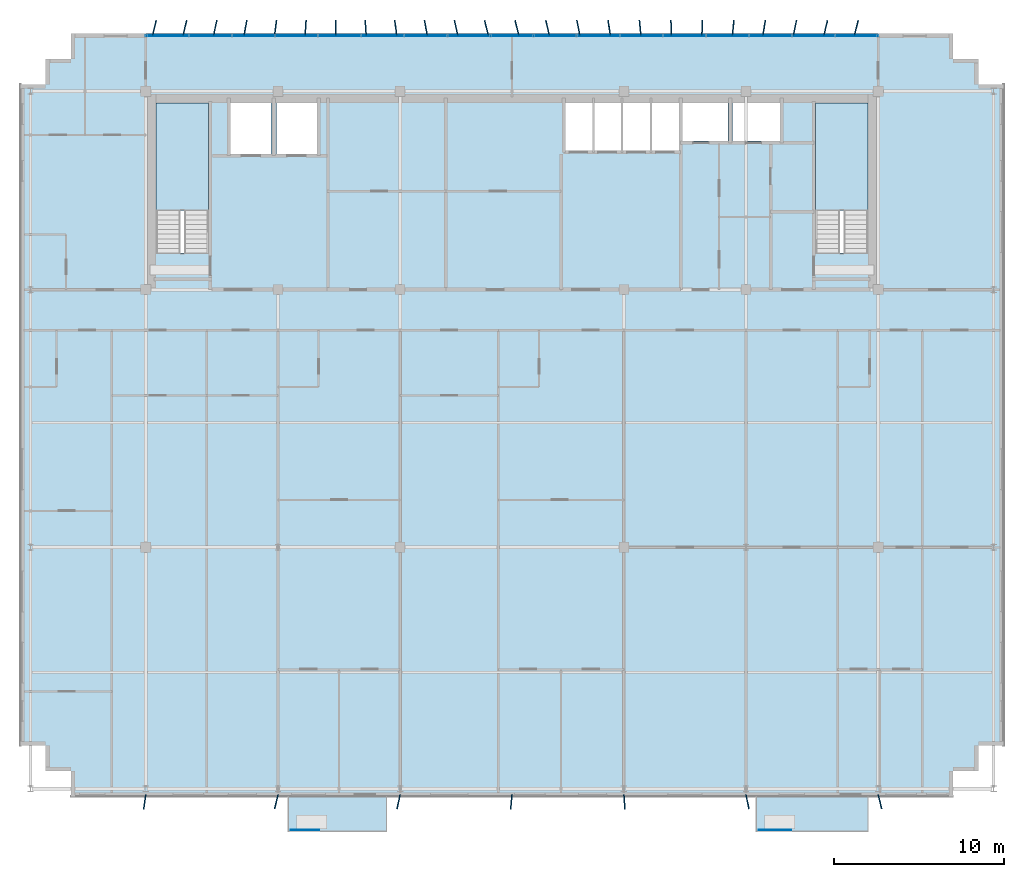
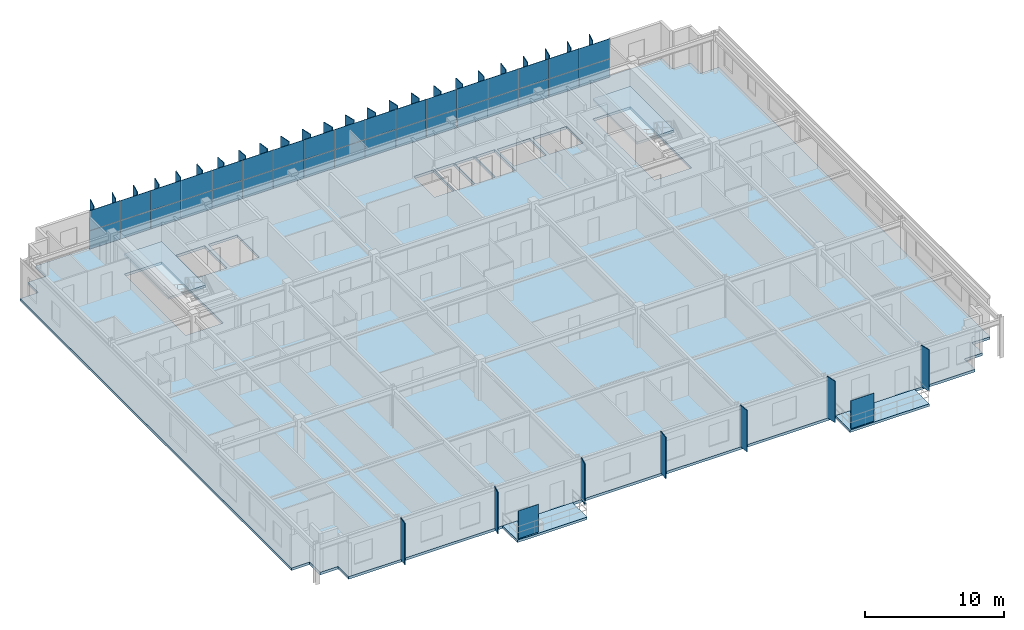
# One storey, part 15 of 23: 67 plates, 5 slabs, 3 elements without a shape of their own.
"""IFC4 building model written with IfcOpenShell, lengths in metres."""

from ifc_helpers import new_model, si_unit, direction, frame, origin, origin_2d, place, context, subcontext, project, spatial, polyline, rectangle, outline, extrude, source, transform, mapped, material, layer, layer_set, type_object, element, aggregate, save


model = new_model("IFC4")

# Units and contexts
model_context = context("Model", 3, precision=1e-05, world=origin(), true_north=direction((0.0, 1.0)))
body_context = subcontext(model_context, "Body", "Model", "MODEL_VIEW")
ifc_project = project(units=[si_unit("LENGTHUNIT", "METRE"), si_unit("AREAUNIT", "SQUARE_METRE"), si_unit("VOLUMEUNIT", "CUBIC_METRE"), si_unit("PLANEANGLEUNIT", "RADIAN"), si_unit("MASSUNIT", "GRAM", prefix="KILO")], contexts=[model_context])

# Site, building, storey
site_placement = place(None, origin())
site = spatial("IfcSite", under=ifc_project, at=site_placement, CompositionType="ELEMENT")
building_placement = place(site_placement, origin())
building = spatial("IfcBuilding", under=site, at=building_placement, Name="Trelvane Seafront Commons", CompositionType="ELEMENT")
storey_placement = place(building_placement, frame((0.0, 0.0, 266.699951171875)))
storey = spatial("IfcBuildingStorey", under=building, at=storey_placement, Name="L69", CompositionType="ELEMENT", Elevation=266.699951171875)

# Slabs
ifc_material_1 = material(Name="Concrete C40/50", Category="concrete")
ifc_layer_1 = layer(ifc_material_1, 0.219970703125, Name="ARCH-BALC-220")
ifc_layer_set_1 = layer_set([ifc_layer_1], Name="Concrete C40/50")
slab_type_1 = type_object("IfcSlabType", Name="ARCH-BALC-220", PredefinedType="FLOOR", material=ifc_layer_set_1)
slab_1_placement = place(storey_placement, frame((0.0, 0.0, -0.219970703125)))
element("IfcSlab", 1, at=slab_1_placement, inside=storey, type_object=slab_type_1, Name="L69 Cantilevered Tree Balcony Loggia 2", PredefinedType="FLOOR", context=body_context, shape_type="SweptSolid", body=[
    extrude(outline(polyline([(24.0, 1.39990234375), (29.800048828125, 1.39990234375), (29.800048828125, 3.5), (24.0, 3.5), (24.0, 1.39990234375)])), origin(), (0.0, 0.0, 1.0), 0.219970703125),
])
slab_2_placement = place(storey_placement, frame((0.0, 0.0, -0.219970703125)))
element("IfcSlab", 2, at=slab_2_placement, inside=storey, type_object=slab_type_1, Name="L69 Cantilevered Tree Balcony Loggia 3", PredefinedType="FLOOR", context=body_context, shape_type="SweptSolid", body=[
    extrude(outline(polyline([(51.60009765625, 1.39990234375), (58.199951171875, 1.39990234375), (58.199951171875, 3.5), (51.60009765625, 3.5), (51.60009765625, 1.39990234375)])), origin(), (0.0, 0.0, 1.0), 0.219970703125),
])

# Stair, slab
stair_type_1 = type_object("IfcStairType", Name="ARCH-STR-ST-1-R20-180", PredefinedType="HALF_TURN_STAIR", material=ifc_material_1)
stair_1_placement = place(storey_placement, origin())
stair_1 = element("IfcStair", 3, at=stair_1_placement, inside=storey, type_object=stair_type_1, Name="L69 West Protected Firefighting Exit Stair ST-1", PredefinedType="HALF_TURN_STAIR")
ifc_layer_2 = layer(ifc_material_1, 0.199951171875, Name="ARCH-LND-200")
ifc_layer_set_2 = layer_set([ifc_layer_2], Name="Concrete C40/50")
slab_type_2 = type_object("IfcSlabType", Name="ARCH-LND-200", PredefinedType="LANDING", material=ifc_layer_set_2)
slab_3_placement = place(storey_placement, frame((0.0, 0.0, 1.60009765625)))
slab_3 = element("IfcSlab", 4, at=slab_3_placement, type_object=slab_type_2, Name="ST-1 landing 1", PredefinedType="LANDING", context=body_context, shape_type="SweptSolid", body=[
    extrude(outline(polyline([(19.300048828125, 38.070068359375), (19.300048828125, 44.39990234375), (16.199951171875, 44.39990234375), (16.199951171875, 38.070068359375), (19.300048828125, 38.070068359375)])), origin(), (0.0, 0.0, 1.0), 0.199951171875),
])
aggregate(stair_1, [slab_3])

stair_type_2 = type_object("IfcStairType", Name="ARCH-STR-ST-2-R20-180", PredefinedType="HALF_TURN_STAIR", material=ifc_material_1)
stair_2_placement = place(storey_placement, origin())
stair_2 = element("IfcStair", 5, at=stair_2_placement, inside=storey, type_object=stair_type_2, Name="L69 East Protected Firefighting Exit Stair ST-2", PredefinedType="HALF_TURN_STAIR")
slab_4_placement = place(storey_placement, frame((0.0, 0.0, 1.60009765625)))
slab_4 = element("IfcSlab", 6, at=slab_4_placement, type_object=slab_type_2, Name="ST-2 landing 1", PredefinedType="LANDING", context=body_context, shape_type="SweptSolid", body=[
    extrude(outline(polyline([(58.199951171875, 38.070068359375), (58.199951171875, 44.39990234375), (55.10009765625, 44.39990234375), (55.10009765625, 38.070068359375), (58.199951171875, 38.070068359375)])), origin(), (0.0, 0.0, 1.0), 0.199951171875),
])
aggregate(stair_2, [slab_4])

# Slab
ifc_material_2 = material(Name="Concrete C50/60", Category="concrete")
ifc_layer_3 = layer(ifc_material_2, 0.22998046875, Name="STR-SLB-Z5-230")
ifc_layer_set_3 = layer_set([ifc_layer_3], Name="Concrete C50/60")
slab_type_3 = type_object("IfcSlabType", Name="STR-SLB-Z5-230", PredefinedType="FLOOR", material=ifc_layer_set_3)
slab_5_placement = place(storey_placement, frame((0.0, 0.0, -0.22998046875)))
element("IfcSlab", 7, at=slab_5_placement, inside=storey, type_object=slab_type_3, Name="L69 Structural Floor Slab", PredefinedType="FLOOR", context=body_context, shape_type="SweptSolid", body=[
    extrude(outline(polyline([(11.199951171875, 3.5), (63.199951171875, 3.5), (63.199951171875, 5.0), (64.699951171875, 5.0), (64.699951171875, 6.5), (66.199951171875, 6.5), (66.199951171875, 45.5), (64.699951171875, 45.5), (64.699951171875, 47.0), (63.199951171875, 47.0), (63.199951171875, 48.5), (11.199951171875, 48.5), (11.199951171875, 47.0), (9.699951171875, 47.0), (9.699951171875, 45.5), (8.199951171875, 45.5), (8.199951171875, 6.5), (9.699951171875, 6.5), (9.699951171875, 5.0), (11.199951171875, 5.0), (11.199951171875, 3.5)]), holes=[polyline([(19.300048828125, 35.550048828125), (16.199951171875, 35.550048828125), (16.199951171875, 44.39990234375), (19.300048828125, 44.39990234375), (19.300048828125, 35.550048828125)]), polyline([(58.199951171875, 35.550048828125), (55.10009765625, 35.550048828125), (55.10009765625, 44.39990234375), (58.199951171875, 44.39990234375), (58.199951171875, 35.550048828125)]), polyline([(23.0, 41.39990234375), (20.60009765625, 41.39990234375), (20.60009765625, 44.60009765625), (23.0, 44.60009765625), (23.0, 41.39990234375)]), polyline([(23.300048828125, 41.39990234375), (23.300048828125, 44.60009765625), (25.699951171875, 44.60009765625), (25.699951171875, 41.39990234375), (23.300048828125, 41.39990234375)]), polyline([(40.35009765625, 41.60009765625), (40.35009765625, 44.60009765625), (41.969970703125, 44.60009765625), (41.969970703125, 41.60009765625), (40.35009765625, 41.60009765625)]), polyline([(43.669921875, 41.60009765625), (42.050048828125, 41.60009765625), (42.050048828125, 44.60009765625), (43.669921875, 44.60009765625), (43.669921875, 41.60009765625)]), polyline([(45.3701171875, 41.60009765625), (43.75, 41.60009765625), (43.75, 44.60009765625), (45.3701171875, 44.60009765625), (45.3701171875, 41.60009765625)]), polyline([(47.070068359375, 41.60009765625), (45.449951171875, 41.60009765625), (45.449951171875, 44.60009765625), (47.070068359375, 44.60009765625), (47.070068359375, 41.60009765625)]), polyline([(47.25, 42.14990234375), (47.25, 44.550048828125), (49.949951171875, 44.550048828125), (49.949951171875, 42.14990234375), (47.25, 42.14990234375)]), polyline([(50.199951171875, 42.14990234375), (50.199951171875, 44.550048828125), (53.0, 44.550048828125), (53.0, 42.14990234375), (50.199951171875, 42.14990234375)])]), origin(), (0.0, 0.0, 1.0), 0.22998046875),
])

# Plates
ifc_material_3 = material(Name="Perforated anodised aluminium screen", Category="aluminium")
ifc_layer_4 = layer(ifc_material_3, 0.01611328125, Name="ARCH-PLATE-SCREEN")
ifc_layer_set_4 = layer_set([ifc_layer_4], Name="Perforated anodised aluminium screen")
plate_type_1 = type_object("IfcPlateType", Name="ARCH-PLATE-SCREEN", PredefinedType="USERDEFINED", material=ifc_layer_set_4)
shared_shape_1 = source(origin(), body_context, "Body", "SweptSolid", [
    extrude(rectangle(XDim=1.9140625, YDim=0.01611328125, at=origin_2d()), origin(), (0.0, 0.0, 1.0), 2.449951171875),
])
plate_1_placement = place(storey_placement, frame((52.70703125, 1.52001953125, 0.0), z_axis=(0.0, 0.0, 1.0), x_axis=(1.0, 0.0, 0.0)))
element("IfcPlate", 8, at=plate_1_placement, inside=storey, type_object=plate_type_1, Name="SCR-L69-00240", ObjectType="SCREEN", PredefinedType="USERDEFINED", context=body_context, shape_type="MappedRepresentation", body=[
    mapped(shared_shape_1, transform((0.0, 0.0, 0.0), x_axis=(1.0, 0.0, 0.0), y_axis=(0.0, 1.0, 0.0), z_axis=(0.0, 0.0, 1.0), scale=1.0)),
])
shared_shape_2 = source(origin(), body_context, "Body", "SweptSolid", [
    extrude(rectangle(XDim=1.681884765625, YDim=0.01611328125, at=origin_2d()), origin(), (0.0, 0.0, 1.0), 2.449951171875),
])
plate_2_placement = place(storey_placement, frame((24.990966796875, 1.52001953125, 0.0), z_axis=(0.0, 0.0, 1.0), x_axis=(1.0, 0.0, 0.0)))
element("IfcPlate", 9, at=plate_2_placement, inside=storey, type_object=plate_type_1, Name="SCR-L69-00239", ObjectType="SCREEN", PredefinedType="USERDEFINED", context=body_context, shape_type="MappedRepresentation", body=[
    mapped(shared_shape_2, transform((0.0, 0.0, 0.0), x_axis=(1.0, 0.0, 0.0), y_axis=(0.0, 1.0, 0.0), z_axis=(0.0, 0.0, 1.0), scale=1.0)),
])
ifc_material_4 = material(Name="Anodised pale-silver aluminium", Category="aluminium")
ifc_layer_5 = layer(ifc_material_4, 0.06005859375, Name="ARCH-PLATE-FIN900")
ifc_layer_set_5 = layer_set([ifc_layer_5], Name="Anodised pale-silver aluminium")
plate_type_2 = type_object("IfcPlateType", Name="ARCH-PLATE-FIN900", PredefinedType="USERDEFINED", material=ifc_layer_set_5)
shared_shape_3 = source(origin(), body_context, "Body", "SweptSolid", [
    extrude(rectangle(XDim=0.89990234375, YDim=0.06005859375, at=origin_2d()), origin(), (0.0, 0.0, 1.0), 3.639892578125),
])
for number, where, z_axis, x_axis, name in (
    (10, (17.906494140625, 48.837158203125, -0.02001953125), (0.0, 0.0, 1.0), (0.236439642978, 0.971646178003, 0.0), "FIN-L69-01912"),
    (11, (19.6962890625, 48.839599609375, -0.02001953125), (0.0, 0.0, 1.0), (0.214012511804, 0.976830919244, 0.0), "FIN-L69-01913"),
    (12, (21.47900390625, 48.843017578125, -0.02001953125), (0.0, 0.0, 1.0), (0.175775662114, 0.984430249743, 0.0), "FIN-L69-01914"),
    (13, (23.255859375, 48.846435546875, -0.02001953125), (0.0, 0.0, 1.0), (0.124335787916, 0.992240198663, 0.0), "FIN-L69-01915"),
    (14, (25.0283203125, 48.84912109375, -0.02001953125), (0.0, 0.0, 1.0), (0.063222501174, 0.997999456586, 0.0), "FIN-L69-01916"),
    (15, (26.798828125, 48.85009765625, -0.02001953125), (0.0, 0.0, 1.0), (-0.002666859936, 0.999996443923, 0.0), "FIN-L69-01917"),
    (16, (28.569091796875, 48.84912109375, -0.02001953125), (0.0, 0.0, 1.0), (-0.068443641122, 0.997654984446, 0.0), "FIN-L69-01918"),
    (17, (30.342041015625, 48.84619140625, -0.02001953125), (0.0, 0.0, 1.0), (-0.128887328039, 0.991659244232, 0.0), "FIN-L69-01919"),
    (18, (32.119384765625, 48.8427734375, -0.02001953125), (0.0, 0.0, 1.0), (-0.179442694027, 0.983768427812, 0.0), "FIN-L69-01920"),
    (19, (33.902587890625, 48.83935546875, -0.02001953125), (0.0, 0.0, 1.0), (-0.216436206021, 0.976296762631, 0.0), "FIN-L69-01921"),
    (20, (35.693115234375, 48.837158203125, -0.02001953125), (0.0, 0.0, 1.0), (-0.237434978264, 0.971403433748, 0.0), "FIN-L69-01922"),
    (21, (37.491455078125, 48.836669921875, -0.02001953125), (0.0, 0.0, 1.0), (-0.241227504659, 0.970468593514, 0.0), "FIN-L69-01923"),
    (22, (39.297607421875, 48.838134765625, -0.02001953125), (0.0, 0.0, 1.0), (-0.227341413427, 0.973815116817, 0.0), "FIN-L69-01924"),
    (23, (41.111572265625, 48.84130859375, -0.02001953125), (0.0, 0.0, 1.0), (-0.19677786044, 0.980448098392, 0.0), "FIN-L69-01925"),
    (24, (42.931884765625, 48.8447265625, -0.02001953125), (0.0, 0.0, 1.0), (-0.151447144267, 0.988465357255, 0.0), "FIN-L69-01926"),
    (25, (44.75732421875, 48.847900390625, -0.02001953125), (0.0, 0.0, 1.0), (-0.094662587815, 0.995509414555, 0.0), "FIN-L69-01927"),
    (26, (46.586181640625, 48.849853515625, -0.02001953125), (0.0, 0.0, 1.0), (-0.030554213843, 0.999533111016, 0.0), "FIN-L69-01928"),
    (27, (48.416259765625, 48.849609375, -0.02001953125), (0.0, 0.0, 1.0), (0.03600010719, 0.99935178605, 0.0), "FIN-L69-01929"),
    (28, (50.244873046875, 48.84765625, -0.02001953125), (0.0, 0.0, 1.0), (0.099668820243, 0.995020666253, 0.0), "FIN-L69-01930"),
    (29, (52.070068359375, 48.844482421875, -0.02001953125), (0.0, 0.0, 1.0), (0.155670756638, 0.987808997493, 0.0), "FIN-L69-01931"),
    (30, (53.889892578125, 48.8408203125, -0.02001953125), (0.0, 0.0, 1.0), (0.199790357818, 0.979838666783, 0.0), "FIN-L69-01932"),
    (31, (55.703125, 48.837890625, -0.02001953125), (0.0, 0.0, 1.0), (0.229101855445, 0.973402455222, 0.0), "FIN-L69-01933"),
):
    element("IfcPlate", number, at=place(storey_placement, frame(where, z_axis=z_axis, x_axis=x_axis)), inside=storey, type_object=plate_type_2, Name=name, ObjectType="FIN", PredefinedType="USERDEFINED", context=body_context, shape_type="MappedRepresentation", body=[
        mapped(shared_shape_3, transform((0.0, 0.0, 0.0), x_axis=(1.0, 0.0, 0.0), y_axis=(0.0, 1.0, 0.0), z_axis=(0.0, 0.0, 1.0), scale=1.0)),
    ])
shared_shape_4 = source(origin(), body_context, "Body", "SweptSolid", [
    extrude(rectangle(XDim=0.900146484375, YDim=0.06005859375, at=origin_2d()), origin(), (0.0, 0.0, 1.0), 3.639892578125),
])
for number, where, z_axis, x_axis, name in (
    (32, (16.108642578125, 48.836669921875, -0.02001953125), (0.0, 0.0, 1.0), (0.241542536366, 0.970390232394, 0.0), "FIN-L69-01911"),
    (33, (57.5087890625, 48.836669921875, -0.02001953125), (0.0, 0.0, 1.0), (0.241542536366, 0.970390232394, 0.0), "FIN-L69-01934"),
):
    element("IfcPlate", number, at=place(storey_placement, frame(where, z_axis=z_axis, x_axis=x_axis)), inside=storey, type_object=plate_type_2, Name=name, ObjectType="FIN", PredefinedType="USERDEFINED", context=body_context, shape_type="MappedRepresentation", body=[
        mapped(shared_shape_4, transform((0.0, 0.0, 0.0), x_axis=(1.0, 0.0, 0.0), y_axis=(0.0, 1.0, 0.0), z_axis=(0.0, 0.0, 1.0), scale=1.0)),
    ])
shared_shape_5 = source(origin(), body_context, "Body", "SweptSolid", [
    extrude(rectangle(XDim=0.85009765625, YDim=0.06005859375, at=origin_2d()), origin(), (0.0, 0.0, 1.0), 3.639892578125),
])
for number, where, z_axis, x_axis, name in (
    (34, (15.537841796875, 3.179443359375, -0.02001953125), (0.0, 0.0, 1.0), (-0.145998424337, -0.989284822531, 0.0), "FIN-S-L69-01935"),
    (35, (23.2998046875, 3.18701171875, -0.02001953125), (0.0, 0.0, 1.0), (-0.235774817433, -0.971807715273, 0.0), "FIN-S-L69-01936"),
    (36, (30.50830078125, 3.18505859375, -0.02001953125), (0.0, 0.0, 1.0), (-0.215872159407, -0.976421635766, 0.0), "FIN-S-L69-01937"),
    (37, (37.159912109375, 3.177001953125, -0.02001953125), (0.0, 0.0, 1.0), (-0.094704287532, -0.995505448465, 0.0), "FIN-S-L69-01938"),
    (38, (43.830810546875, 3.176025390625, -0.02001953125), (0.0, 0.0, 1.0), (0.072467070849, -0.997370805489, 0.0), "FIN-S-L69-01939"),
    (39, (51.0869140625, 3.18408203125, -0.02001953125), (0.0, 0.0, 1.0), (0.204343997691, -0.978899142204, 0.0), "FIN-S-L69-01940"),
    (40, (58.90185546875, 3.1875, -0.02001953125), (0.0, 0.0, 1.0), (0.239877323294, -0.97080320857, 0.0), "FIN-S-L69-01941"),
):
    element("IfcPlate", number, at=place(storey_placement, frame(where, z_axis=z_axis, x_axis=x_axis)), inside=storey, type_object=plate_type_2, Name=name, ObjectType="FIN", PredefinedType="USERDEFINED", context=body_context, shape_type="MappedRepresentation", body=[
        mapped(shared_shape_5, transform((0.0, 0.0, 0.0), x_axis=(1.0, 0.0, 0.0), y_axis=(0.0, 1.0, 0.0), z_axis=(0.0, 0.0, 1.0), scale=1.0)),
    ])

# Curtain wall, plates
curtain_wall_type = type_object("IfcCurtainWallType", Name="ARCH-CW5-UPTOWER", PredefinedType="NOTDEFINED", material=ifc_material_4)
curtain_wall_placement = place(storey_placement, origin())
curtain_wall = element("IfcCurtainWall", 41, at=curtain_wall_placement, inside=storey, type_object=curtain_wall_type, Name="CW-L69-0113", PredefinedType="NOTDEFINED")
ifc_material_5 = material(Name="Low-E coastal double glazing", Category="glass")
ifc_layer_6 = layer(ifc_material_5, 0.033935546875, Name="ARCH-CW-GLAZ-34")
ifc_layer_set_6 = layer_set([ifc_layer_6], Name="Low-E coastal double glazing")
plate_type_3 = type_object("IfcPlateType", Name="ARCH-CW-GLAZ-34", PredefinedType="CURTAIN_PANEL", material=ifc_layer_set_6)
shared_shape_6 = source(origin(), body_context, "Body", "SweptSolid", [
    extrude(rectangle(XDim=2.51708984375, YDim=0.033935546875, at=origin_2d()), origin(), (0.0, 0.0, 1.0), 1.60009765625),
])
plate_3_placement = place(storey_placement, frame((16.87060546875, 48.3701171875, 0.0), z_axis=(0.0, 0.0, 1.0), x_axis=(1.0, 0.0, 0.0)))
plate_3 = element("IfcPlate", 42, at=plate_3_placement, type_object=plate_type_3, Name="CW-L69-0113-P00-1", PredefinedType="CURTAIN_PANEL", context=body_context, shape_type="MappedRepresentation", body=[
    mapped(shared_shape_6, transform((0.0, 0.0, 0.0), x_axis=(1.0, 0.0, 0.0), y_axis=(0.0, 1.0, 0.0), z_axis=(0.0, 0.0, 1.0), scale=1.0)),
])
plate_4_placement = place(storey_placement, frame((19.411865234375, 48.3701171875, 0.0), z_axis=(0.0, 0.0, 1.0), x_axis=(1.0, 0.0, 0.0)))
plate_4 = element("IfcPlate", 43, at=plate_4_placement, type_object=plate_type_3, Name="CW-L69-0113-P01-1", PredefinedType="CURTAIN_PANEL", context=body_context, shape_type="MappedRepresentation", body=[
    mapped(shared_shape_6, transform((0.0, 0.0, 0.0), x_axis=(1.0, 0.0, 0.0), y_axis=(0.0, 1.0, 0.0), z_axis=(0.0, 0.0, 1.0), scale=1.0)),
])
plate_5_placement = place(storey_placement, frame((21.952880859375, 48.3701171875, 0.0), z_axis=(0.0, 0.0, 1.0), x_axis=(1.0, 0.0, 0.0)))
plate_5 = element("IfcPlate", 44, at=plate_5_placement, type_object=plate_type_3, Name="CW-L69-0113-P02-1", PredefinedType="CURTAIN_PANEL", context=body_context, shape_type="MappedRepresentation", body=[
    mapped(shared_shape_6, transform((0.0, 0.0, 0.0), x_axis=(1.0, 0.0, 0.0), y_axis=(0.0, 1.0, 0.0), z_axis=(0.0, 0.0, 1.0), scale=1.0)),
])
plate_6_placement = place(storey_placement, frame((24.494140625, 48.3701171875, 0.0), z_axis=(0.0, 0.0, 1.0), x_axis=(1.0, 0.0, 0.0)))
plate_6 = element("IfcPlate", 45, at=plate_6_placement, type_object=plate_type_3, Name="CW-L69-0113-P03-1", PredefinedType="CURTAIN_PANEL", context=body_context, shape_type="MappedRepresentation", body=[
    mapped(shared_shape_6, transform((0.0, 0.0, 0.0), x_axis=(1.0, 0.0, 0.0), y_axis=(0.0, 1.0, 0.0), z_axis=(0.0, 0.0, 1.0), scale=1.0)),
])
plate_7_placement = place(storey_placement, frame((27.035400390625, 48.3701171875, 0.0), z_axis=(0.0, 0.0, 1.0), x_axis=(1.0, 0.0, 0.0)))
plate_7 = element("IfcPlate", 46, at=plate_7_placement, type_object=plate_type_3, Name="CW-L69-0113-P04-1", PredefinedType="CURTAIN_PANEL", context=body_context, shape_type="MappedRepresentation", body=[
    mapped(shared_shape_6, transform((0.0, 0.0, 0.0), x_axis=(1.0, 0.0, 0.0), y_axis=(0.0, 1.0, 0.0), z_axis=(0.0, 0.0, 1.0), scale=1.0)),
])
plate_8_placement = place(storey_placement, frame((29.576416015625, 48.3701171875, 0.0), z_axis=(0.0, 0.0, 1.0), x_axis=(1.0, 0.0, 0.0)))
plate_8 = element("IfcPlate", 47, at=plate_8_placement, type_object=plate_type_3, Name="CW-L69-0113-P05-1", PredefinedType="CURTAIN_PANEL", context=body_context, shape_type="MappedRepresentation", body=[
    mapped(shared_shape_6, transform((0.0, 0.0, 0.0), x_axis=(1.0, 0.0, 0.0), y_axis=(0.0, 1.0, 0.0), z_axis=(0.0, 0.0, 1.0), scale=1.0)),
])
plate_9_placement = place(storey_placement, frame((32.11767578125, 48.3701171875, 0.0), z_axis=(0.0, 0.0, 1.0), x_axis=(1.0, 0.0, 0.0)))
plate_9 = element("IfcPlate", 48, at=plate_9_placement, type_object=plate_type_3, Name="CW-L69-0113-P06-1", PredefinedType="CURTAIN_PANEL", context=body_context, shape_type="MappedRepresentation", body=[
    mapped(shared_shape_6, transform((0.0, 0.0, 0.0), x_axis=(1.0, 0.0, 0.0), y_axis=(0.0, 1.0, 0.0), z_axis=(0.0, 0.0, 1.0), scale=1.0)),
])
plate_10_placement = place(storey_placement, frame((34.65869140625, 48.3701171875, 0.0), z_axis=(0.0, 0.0, 1.0), x_axis=(1.0, 0.0, 0.0)))
plate_10 = element("IfcPlate", 49, at=plate_10_placement, type_object=plate_type_3, Name="CW-L69-0113-P07-1", PredefinedType="CURTAIN_PANEL", context=body_context, shape_type="MappedRepresentation", body=[
    mapped(shared_shape_6, transform((0.0, 0.0, 0.0), x_axis=(1.0, 0.0, 0.0), y_axis=(0.0, 1.0, 0.0), z_axis=(0.0, 0.0, 1.0), scale=1.0)),
])
plate_11_placement = place(storey_placement, frame((37.199951171875, 48.3701171875, 0.0), z_axis=(0.0, 0.0, 1.0), x_axis=(1.0, 0.0, 0.0)))
plate_11 = element("IfcPlate", 50, at=plate_11_placement, type_object=plate_type_3, Name="CW-L69-0113-P08-1", PredefinedType="CURTAIN_PANEL", context=body_context, shape_type="MappedRepresentation", body=[
    mapped(shared_shape_6, transform((0.0, 0.0, 0.0), x_axis=(1.0, 0.0, 0.0), y_axis=(0.0, 1.0, 0.0), z_axis=(0.0, 0.0, 1.0), scale=1.0)),
])
plate_12_placement = place(storey_placement, frame((39.7412109375, 48.3701171875, 0.0), z_axis=(0.0, 0.0, 1.0), x_axis=(1.0, 0.0, 0.0)))
plate_12 = element("IfcPlate", 51, at=plate_12_placement, type_object=plate_type_3, Name="CW-L69-0113-P09-1", PredefinedType="CURTAIN_PANEL", context=body_context, shape_type="MappedRepresentation", body=[
    mapped(shared_shape_6, transform((0.0, 0.0, 0.0), x_axis=(1.0, 0.0, 0.0), y_axis=(0.0, 1.0, 0.0), z_axis=(0.0, 0.0, 1.0), scale=1.0)),
])
plate_13_placement = place(storey_placement, frame((42.282470703125, 48.3701171875, 0.0), z_axis=(0.0, 0.0, 1.0), x_axis=(1.0, 0.0, 0.0)))
plate_13 = element("IfcPlate", 52, at=plate_13_placement, type_object=plate_type_3, Name="CW-L69-0113-P10-1", PredefinedType="CURTAIN_PANEL", context=body_context, shape_type="MappedRepresentation", body=[
    mapped(shared_shape_6, transform((0.0, 0.0, 0.0), x_axis=(1.0, 0.0, 0.0), y_axis=(0.0, 1.0, 0.0), z_axis=(0.0, 0.0, 1.0), scale=1.0)),
])
plate_14_placement = place(storey_placement, frame((44.823486328125, 48.3701171875, 0.0), z_axis=(0.0, 0.0, 1.0), x_axis=(1.0, 0.0, 0.0)))
plate_14 = element("IfcPlate", 53, at=plate_14_placement, type_object=plate_type_3, Name="CW-L69-0113-P11-1", PredefinedType="CURTAIN_PANEL", context=body_context, shape_type="MappedRepresentation", body=[
    mapped(shared_shape_6, transform((0.0, 0.0, 0.0), x_axis=(1.0, 0.0, 0.0), y_axis=(0.0, 1.0, 0.0), z_axis=(0.0, 0.0, 1.0), scale=1.0)),
])
plate_15_placement = place(storey_placement, frame((47.36474609375, 48.3701171875, 0.0), z_axis=(0.0, 0.0, 1.0), x_axis=(1.0, 0.0, 0.0)))
plate_15 = element("IfcPlate", 54, at=plate_15_placement, type_object=plate_type_3, Name="CW-L69-0113-P12-1", PredefinedType="CURTAIN_PANEL", context=body_context, shape_type="MappedRepresentation", body=[
    mapped(shared_shape_6, transform((0.0, 0.0, 0.0), x_axis=(1.0, 0.0, 0.0), y_axis=(0.0, 1.0, 0.0), z_axis=(0.0, 0.0, 1.0), scale=1.0)),
])
plate_16_placement = place(storey_placement, frame((49.906005859375, 48.3701171875, 0.0), z_axis=(0.0, 0.0, 1.0), x_axis=(1.0, 0.0, 0.0)))
plate_16 = element("IfcPlate", 55, at=plate_16_placement, type_object=plate_type_3, Name="CW-L69-0113-P13-1", PredefinedType="CURTAIN_PANEL", context=body_context, shape_type="MappedRepresentation", body=[
    mapped(shared_shape_6, transform((0.0, 0.0, 0.0), x_axis=(1.0, 0.0, 0.0), y_axis=(0.0, 1.0, 0.0), z_axis=(0.0, 0.0, 1.0), scale=1.0)),
])
plate_17_placement = place(storey_placement, frame((52.447021484375, 48.3701171875, 0.0), z_axis=(0.0, 0.0, 1.0), x_axis=(1.0, 0.0, 0.0)))
plate_17 = element("IfcPlate", 56, at=plate_17_placement, type_object=plate_type_3, Name="CW-L69-0113-P14-1", PredefinedType="CURTAIN_PANEL", context=body_context, shape_type="MappedRepresentation", body=[
    mapped(shared_shape_6, transform((0.0, 0.0, 0.0), x_axis=(1.0, 0.0, 0.0), y_axis=(0.0, 1.0, 0.0), z_axis=(0.0, 0.0, 1.0), scale=1.0)),
])
plate_18_placement = place(storey_placement, frame((54.98828125, 48.3701171875, 0.0), z_axis=(0.0, 0.0, 1.0), x_axis=(1.0, 0.0, 0.0)))
plate_18 = element("IfcPlate", 57, at=plate_18_placement, type_object=plate_type_3, Name="CW-L69-0113-P15-1", PredefinedType="CURTAIN_PANEL", context=body_context, shape_type="MappedRepresentation", body=[
    mapped(shared_shape_6, transform((0.0, 0.0, 0.0), x_axis=(1.0, 0.0, 0.0), y_axis=(0.0, 1.0, 0.0), z_axis=(0.0, 0.0, 1.0), scale=1.0)),
])
plate_19_placement = place(storey_placement, frame((57.529296875, 48.3701171875, 0.0), z_axis=(0.0, 0.0, 1.0), x_axis=(1.0, 0.0, 0.0)))
plate_19 = element("IfcPlate", 58, at=plate_19_placement, type_object=plate_type_3, Name="CW-L69-0113-P16-1", PredefinedType="CURTAIN_PANEL", context=body_context, shape_type="MappedRepresentation", body=[
    mapped(shared_shape_6, transform((0.0, 0.0, 0.0), x_axis=(1.0, 0.0, 0.0), y_axis=(0.0, 1.0, 0.0), z_axis=(0.0, 0.0, 1.0), scale=1.0)),
])
shared_shape_7 = source(origin(), body_context, "Body", "SweptSolid", [
    extrude(rectangle(XDim=2.51708984375, YDim=0.033935546875, at=origin_2d()), origin(), (0.0, 0.0, 1.0), 1.73388671875),
])
plate_20_placement = place(storey_placement, frame((16.87060546875, 48.3701171875, 1.635986328125), z_axis=(0.0, 0.0, 1.0), x_axis=(1.0, 0.0, 0.0)))
plate_20 = element("IfcPlate", 59, at=plate_20_placement, type_object=plate_type_3, Name="CW-L69-0113-P00-2", PredefinedType="CURTAIN_PANEL", context=body_context, shape_type="MappedRepresentation", body=[
    mapped(shared_shape_7, transform((0.0, 0.0, 0.0), x_axis=(1.0, 0.0, 0.0), y_axis=(0.0, 1.0, 0.0), z_axis=(0.0, 0.0, 1.0), scale=1.0)),
])
plate_21_placement = place(storey_placement, frame((19.411865234375, 48.3701171875, 1.635986328125), z_axis=(0.0, 0.0, 1.0), x_axis=(1.0, 0.0, 0.0)))
plate_21 = element("IfcPlate", 60, at=plate_21_placement, type_object=plate_type_3, Name="CW-L69-0113-P01-2", PredefinedType="CURTAIN_PANEL", context=body_context, shape_type="MappedRepresentation", body=[
    mapped(shared_shape_7, transform((0.0, 0.0, 0.0), x_axis=(1.0, 0.0, 0.0), y_axis=(0.0, 1.0, 0.0), z_axis=(0.0, 0.0, 1.0), scale=1.0)),
])
plate_22_placement = place(storey_placement, frame((21.952880859375, 48.3701171875, 1.635986328125), z_axis=(0.0, 0.0, 1.0), x_axis=(1.0, 0.0, 0.0)))
plate_22 = element("IfcPlate", 61, at=plate_22_placement, type_object=plate_type_3, Name="CW-L69-0113-P02-2", PredefinedType="CURTAIN_PANEL", context=body_context, shape_type="MappedRepresentation", body=[
    mapped(shared_shape_7, transform((0.0, 0.0, 0.0), x_axis=(1.0, 0.0, 0.0), y_axis=(0.0, 1.0, 0.0), z_axis=(0.0, 0.0, 1.0), scale=1.0)),
])
plate_23_placement = place(storey_placement, frame((24.494140625, 48.3701171875, 1.635986328125), z_axis=(0.0, 0.0, 1.0), x_axis=(1.0, 0.0, 0.0)))
plate_23 = element("IfcPlate", 62, at=plate_23_placement, type_object=plate_type_3, Name="CW-L69-0113-P03-2", PredefinedType="CURTAIN_PANEL", context=body_context, shape_type="MappedRepresentation", body=[
    mapped(shared_shape_7, transform((0.0, 0.0, 0.0), x_axis=(1.0, 0.0, 0.0), y_axis=(0.0, 1.0, 0.0), z_axis=(0.0, 0.0, 1.0), scale=1.0)),
])
plate_24_placement = place(storey_placement, frame((27.035400390625, 48.3701171875, 1.635986328125), z_axis=(0.0, 0.0, 1.0), x_axis=(1.0, 0.0, 0.0)))
plate_24 = element("IfcPlate", 63, at=plate_24_placement, type_object=plate_type_3, Name="CW-L69-0113-P04-2", PredefinedType="CURTAIN_PANEL", context=body_context, shape_type="MappedRepresentation", body=[
    mapped(shared_shape_7, transform((0.0, 0.0, 0.0), x_axis=(1.0, 0.0, 0.0), y_axis=(0.0, 1.0, 0.0), z_axis=(0.0, 0.0, 1.0), scale=1.0)),
])
plate_25_placement = place(storey_placement, frame((29.576416015625, 48.3701171875, 1.635986328125), z_axis=(0.0, 0.0, 1.0), x_axis=(1.0, 0.0, 0.0)))
plate_25 = element("IfcPlate", 64, at=plate_25_placement, type_object=plate_type_3, Name="CW-L69-0113-P05-2", PredefinedType="CURTAIN_PANEL", context=body_context, shape_type="MappedRepresentation", body=[
    mapped(shared_shape_7, transform((0.0, 0.0, 0.0), x_axis=(1.0, 0.0, 0.0), y_axis=(0.0, 1.0, 0.0), z_axis=(0.0, 0.0, 1.0), scale=1.0)),
])
plate_26_placement = place(storey_placement, frame((32.11767578125, 48.3701171875, 1.635986328125), z_axis=(0.0, 0.0, 1.0), x_axis=(1.0, 0.0, 0.0)))
plate_26 = element("IfcPlate", 65, at=plate_26_placement, type_object=plate_type_3, Name="CW-L69-0113-P06-2", PredefinedType="CURTAIN_PANEL", context=body_context, shape_type="MappedRepresentation", body=[
    mapped(shared_shape_7, transform((0.0, 0.0, 0.0), x_axis=(1.0, 0.0, 0.0), y_axis=(0.0, 1.0, 0.0), z_axis=(0.0, 0.0, 1.0), scale=1.0)),
])
plate_27_placement = place(storey_placement, frame((34.65869140625, 48.3701171875, 1.635986328125), z_axis=(0.0, 0.0, 1.0), x_axis=(1.0, 0.0, 0.0)))
plate_27 = element("IfcPlate", 66, at=plate_27_placement, type_object=plate_type_3, Name="CW-L69-0113-P07-2", PredefinedType="CURTAIN_PANEL", context=body_context, shape_type="MappedRepresentation", body=[
    mapped(shared_shape_7, transform((0.0, 0.0, 0.0), x_axis=(1.0, 0.0, 0.0), y_axis=(0.0, 1.0, 0.0), z_axis=(0.0, 0.0, 1.0), scale=1.0)),
])
plate_28_placement = place(storey_placement, frame((37.199951171875, 48.3701171875, 1.635986328125), z_axis=(0.0, 0.0, 1.0), x_axis=(1.0, 0.0, 0.0)))
plate_28 = element("IfcPlate", 67, at=plate_28_placement, type_object=plate_type_3, Name="CW-L69-0113-P08-2", PredefinedType="CURTAIN_PANEL", context=body_context, shape_type="MappedRepresentation", body=[
    mapped(shared_shape_7, transform((0.0, 0.0, 0.0), x_axis=(1.0, 0.0, 0.0), y_axis=(0.0, 1.0, 0.0), z_axis=(0.0, 0.0, 1.0), scale=1.0)),
])
plate_29_placement = place(storey_placement, frame((39.7412109375, 48.3701171875, 1.635986328125), z_axis=(0.0, 0.0, 1.0), x_axis=(1.0, 0.0, 0.0)))
plate_29 = element("IfcPlate", 68, at=plate_29_placement, type_object=plate_type_3, Name="CW-L69-0113-P09-2", PredefinedType="CURTAIN_PANEL", context=body_context, shape_type="MappedRepresentation", body=[
    mapped(shared_shape_7, transform((0.0, 0.0, 0.0), x_axis=(1.0, 0.0, 0.0), y_axis=(0.0, 1.0, 0.0), z_axis=(0.0, 0.0, 1.0), scale=1.0)),
])
plate_30_placement = place(storey_placement, frame((42.282470703125, 48.3701171875, 1.635986328125), z_axis=(0.0, 0.0, 1.0), x_axis=(1.0, 0.0, 0.0)))
plate_30 = element("IfcPlate", 69, at=plate_30_placement, type_object=plate_type_3, Name="CW-L69-0113-P10-2", PredefinedType="CURTAIN_PANEL", context=body_context, shape_type="MappedRepresentation", body=[
    mapped(shared_shape_7, transform((0.0, 0.0, 0.0), x_axis=(1.0, 0.0, 0.0), y_axis=(0.0, 1.0, 0.0), z_axis=(0.0, 0.0, 1.0), scale=1.0)),
])
plate_31_placement = place(storey_placement, frame((44.823486328125, 48.3701171875, 1.635986328125), z_axis=(0.0, 0.0, 1.0), x_axis=(1.0, 0.0, 0.0)))
plate_31 = element("IfcPlate", 70, at=plate_31_placement, type_object=plate_type_3, Name="CW-L69-0113-P11-2", PredefinedType="CURTAIN_PANEL", context=body_context, shape_type="MappedRepresentation", body=[
    mapped(shared_shape_7, transform((0.0, 0.0, 0.0), x_axis=(1.0, 0.0, 0.0), y_axis=(0.0, 1.0, 0.0), z_axis=(0.0, 0.0, 1.0), scale=1.0)),
])
plate_32_placement = place(storey_placement, frame((47.36474609375, 48.3701171875, 1.635986328125), z_axis=(0.0, 0.0, 1.0), x_axis=(1.0, 0.0, 0.0)))
plate_32 = element("IfcPlate", 71, at=plate_32_placement, type_object=plate_type_3, Name="CW-L69-0113-P12-2", PredefinedType="CURTAIN_PANEL", context=body_context, shape_type="MappedRepresentation", body=[
    mapped(shared_shape_7, transform((0.0, 0.0, 0.0), x_axis=(1.0, 0.0, 0.0), y_axis=(0.0, 1.0, 0.0), z_axis=(0.0, 0.0, 1.0), scale=1.0)),
])
plate_33_placement = place(storey_placement, frame((49.906005859375, 48.3701171875, 1.635986328125), z_axis=(0.0, 0.0, 1.0), x_axis=(1.0, 0.0, 0.0)))
plate_33 = element("IfcPlate", 72, at=plate_33_placement, type_object=plate_type_3, Name="CW-L69-0113-P13-2", PredefinedType="CURTAIN_PANEL", context=body_context, shape_type="MappedRepresentation", body=[
    mapped(shared_shape_7, transform((0.0, 0.0, 0.0), x_axis=(1.0, 0.0, 0.0), y_axis=(0.0, 1.0, 0.0), z_axis=(0.0, 0.0, 1.0), scale=1.0)),
])
plate_34_placement = place(storey_placement, frame((52.447021484375, 48.3701171875, 1.635986328125), z_axis=(0.0, 0.0, 1.0), x_axis=(1.0, 0.0, 0.0)))
plate_34 = element("IfcPlate", 73, at=plate_34_placement, type_object=plate_type_3, Name="CW-L69-0113-P14-2", PredefinedType="CURTAIN_PANEL", context=body_context, shape_type="MappedRepresentation", body=[
    mapped(shared_shape_7, transform((0.0, 0.0, 0.0), x_axis=(1.0, 0.0, 0.0), y_axis=(0.0, 1.0, 0.0), z_axis=(0.0, 0.0, 1.0), scale=1.0)),
])
plate_35_placement = place(storey_placement, frame((54.98828125, 48.3701171875, 1.635986328125), z_axis=(0.0, 0.0, 1.0), x_axis=(1.0, 0.0, 0.0)))
plate_35 = element("IfcPlate", 74, at=plate_35_placement, type_object=plate_type_3, Name="CW-L69-0113-P15-2", PredefinedType="CURTAIN_PANEL", context=body_context, shape_type="MappedRepresentation", body=[
    mapped(shared_shape_7, transform((0.0, 0.0, 0.0), x_axis=(1.0, 0.0, 0.0), y_axis=(0.0, 1.0, 0.0), z_axis=(0.0, 0.0, 1.0), scale=1.0)),
])
plate_36_placement = place(storey_placement, frame((57.529296875, 48.3701171875, 1.635986328125), z_axis=(0.0, 0.0, 1.0), x_axis=(1.0, 0.0, 0.0)))
plate_36 = element("IfcPlate", 75, at=plate_36_placement, type_object=plate_type_3, Name="CW-L69-0113-P16-2", PredefinedType="CURTAIN_PANEL", context=body_context, shape_type="MappedRepresentation", body=[
    mapped(shared_shape_7, transform((0.0, 0.0, 0.0), x_axis=(1.0, 0.0, 0.0), y_axis=(0.0, 1.0, 0.0), z_axis=(0.0, 0.0, 1.0), scale=1.0)),
])
aggregate(curtain_wall, [plate_3, plate_20, plate_4, plate_21, plate_5, plate_22, plate_6, plate_23, plate_7, plate_24, plate_8, plate_25, plate_9, plate_26, plate_10, plate_27, plate_11, plate_28, plate_12, plate_29, plate_13, plate_30, plate_14, plate_31, plate_15, plate_32, plate_16, plate_33, plate_17, plate_34, plate_18, plate_35, plate_19, plate_36])

save(model, "model.ifc")
